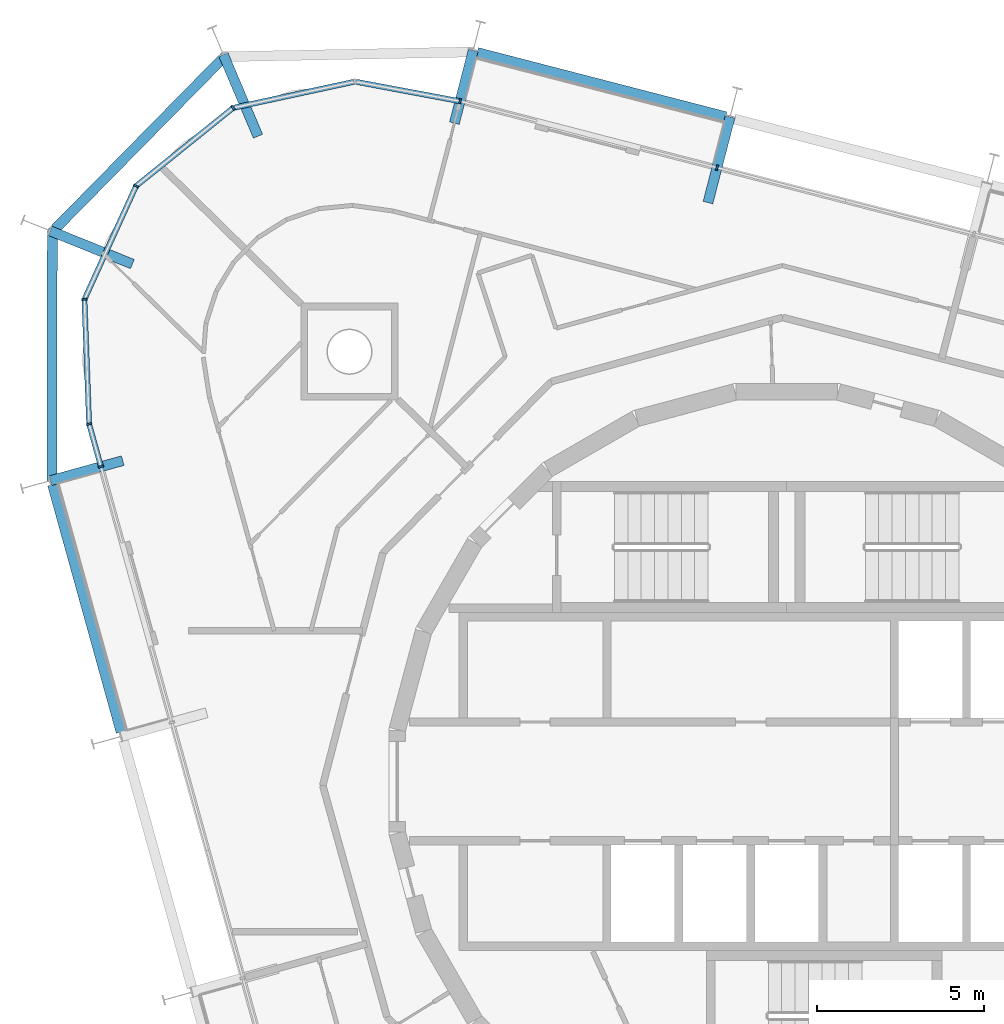
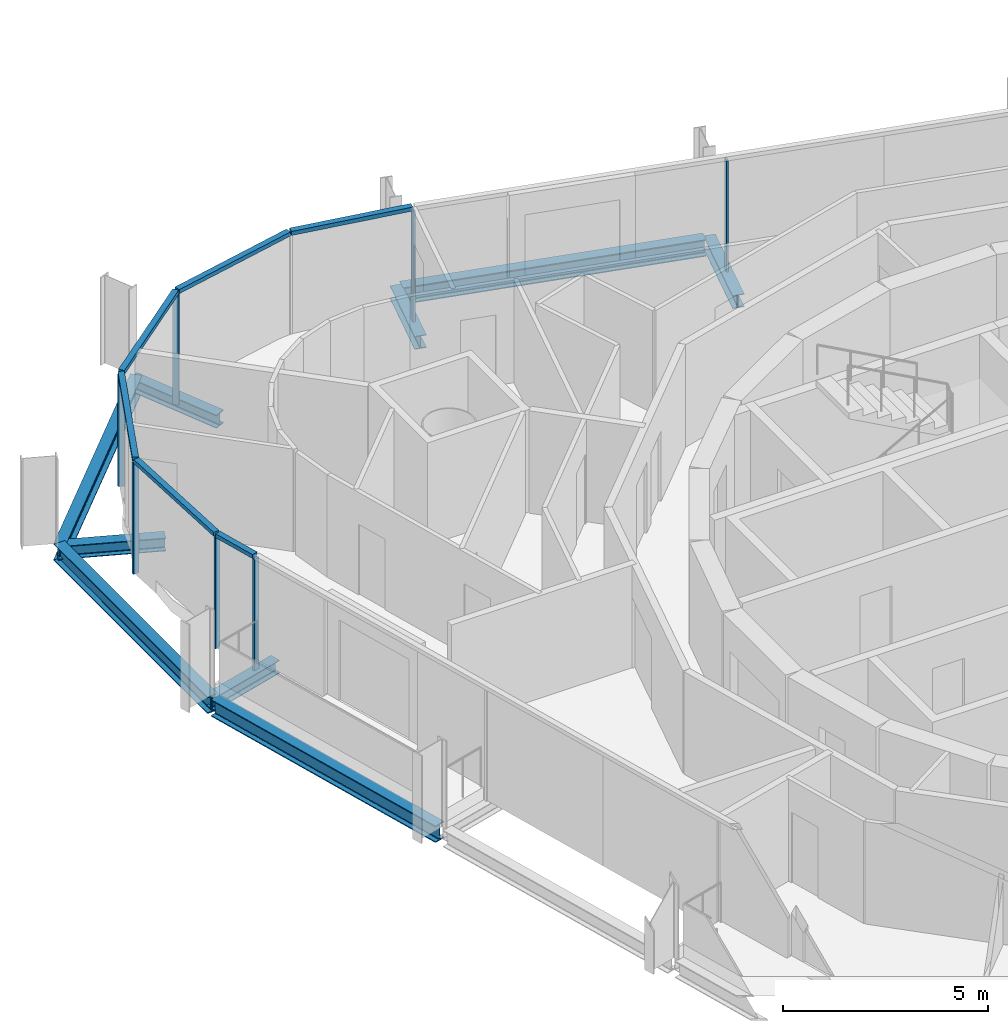
# One storey, part 5 of 15: 13 members, 9 beams, 3 elements without a shape of their own.
"""IFC4 building model written with IfcOpenShell, lengths in metres."""

from ifc_helpers import new_model, si_unit, direction, frame, origin, origin_2d, place, context, subcontext, project, spatial, rectangle, i_section, extrude, material, layer, layer_set, material_profile, profile_set, type_object, element, aggregate, save


model = new_model("IFC4")

# Units and contexts
model_context = context("Model", 3, precision=1e-05, world=origin(), true_north=direction((0.0, 1.0)))
body_context = subcontext(model_context, "Body", "Model", "MODEL_VIEW")
ifc_project = project(units=[si_unit("LENGTHUNIT", "METRE"), si_unit("AREAUNIT", "SQUARE_METRE"), si_unit("VOLUMEUNIT", "CUBIC_METRE"), si_unit("PLANEANGLEUNIT", "RADIAN"), si_unit("MASSUNIT", "GRAM", prefix="KILO")], contexts=[model_context])

# Site, building, storey
site_placement = place(None, origin())
site = spatial("IfcSite", under=ifc_project, at=site_placement, CompositionType="ELEMENT")
building_placement = place(site_placement, origin())
building = spatial("IfcBuilding", under=site, at=building_placement, Name="Spindle Arch Residences", CompositionType="ELEMENT")
storey_placement = place(building_placement, frame((0.0, 0.0, 322.699951171875)))
storey = spatial("IfcBuildingStorey", under=building, at=storey_placement, Name="L83", CompositionType="ELEMENT", Elevation=322.699951171875)

# Curtain wall, member
ifc_material_1 = material(Name="Aluminium bronze unitised frame with tinted glass", Category="aluminium")
ifc_layer_1 = layer(ifc_material_1, 0.159912109375)
ifc_layer_set_1 = layer_set([ifc_layer_1], Name="CW-C typical residential unitised wall")
curtain_wall_type_1 = type_object("IfcCurtainWallType", Name="CW-C typical residential unitised wall", PredefinedType="NOTDEFINED", material=ifc_layer_set_1)
curtain_wall_1_placement = place(storey_placement, origin())
curtain_wall_1 = element("IfcCurtainWall", 1, at=curtain_wall_1_placement, inside=storey, type_object=curtain_wall_type_1, Name="CW-C L83 run 2", PredefinedType="NOTDEFINED")
ifc_material_2 = material(Name="Aluminium bronze anodised mullion", Category="aluminium")
ifc_material_profile_1 = material_profile(ifc_material_2, rectangle(XDim=0.159912109375, YDim=0.06005859375, at=origin_2d()), Name="MU 60x160")
ifc_profile_set_1 = profile_set([ifc_material_profile_1], Name="Aluminium bronze anodised mullion")
member_type_1 = type_object("IfcMemberType", Name="Bronze mullion 60x160", PredefinedType="MULLION", material=ifc_profile_set_1)
member_1_placement = place(storey_placement, frame((-2.084228515625, 18.35107421875, -0.3798828125), z_axis=(0.0, 0.0, 1.0), x_axis=(-0.250380004054, -0.968147640378, 0.0)))
member_1 = element("IfcMember", 2, at=member_1_placement, type_object=member_type_1, Name="CW-C mullion 07", PredefinedType="MULLION", context=body_context, shape_type="SweptSolid", body=[
    extrude(rectangle(XDim=0.159912109375, YDim=0.06005859375, at=origin_2d()), origin(), (0.0, 0.0, 1.0), 3.309814453125),
])
aggregate(curtain_wall_1, [member_1])

# Curtain wall, members
ifc_material_3 = material(Name="Aluminium bronze unitised frame with tinted glass", Category="aluminium")
ifc_layer_2 = layer(ifc_material_3, 0.159912109375)
ifc_layer_set_2 = layer_set([ifc_layer_2], Name="CW-D corner wall on the fillet arcs")
curtain_wall_type_2 = type_object("IfcCurtainWallType", Name="CW-D corner wall on the fillet arcs", PredefinedType="NOTDEFINED", material=ifc_layer_set_2)
curtain_wall_2_placement = place(storey_placement, origin())
curtain_wall_2 = element("IfcCurtainWall", 3, at=curtain_wall_2_placement, inside=storey, type_object=curtain_wall_type_2, Name="CW-D L83 run 3", PredefinedType="NOTDEFINED")
member_2_placement = place(storey_placement, frame((-9.7666015625, 20.337890625, -0.3798828125), z_axis=(0.0, 0.0, 1.0), x_axis=(-0.183837217301, -0.98295670176, 0.0)))
member_2 = element("IfcMember", 4, at=member_2_placement, type_object=member_type_1, Name="CW-D mullion 00", PredefinedType="MULLION", context=body_context, shape_type="SweptSolid", body=[
    extrude(rectangle(XDim=0.159912109375, YDim=0.06005859375, at=origin_2d()), origin(), (0.0, 0.0, 1.0), 3.309814453125),
])
member_3_placement = place(storey_placement, frame((-16.5517578125, 20.14013671875, -0.3798828125), z_axis=(0.0, 0.0, 1.0), x_axis=(0.627057107401, -0.778973288411, 0.0)))
member_3 = element("IfcMember", 5, at=member_3_placement, type_object=member_type_1, Name="CW-D mullion 02", PredefinedType="MULLION", context=body_context, shape_type="SweptSolid", body=[
    extrude(rectangle(XDim=0.159912109375, YDim=0.06005859375, at=origin_2d()), origin(), (0.0, 0.0, 1.0), 3.309814453125),
])
member_4_placement = place(storey_placement, frame((-19.454833984375, 17.80322265625, -0.3798828125), z_axis=(0.0, 0.0, 1.0), x_axis=(0.9099612694, -0.414693245896, 0.0)))
member_4 = element("IfcMember", 6, at=member_4_placement, type_object=member_type_1, Name="CW-D mullion 03", PredefinedType="MULLION", context=body_context, shape_type="SweptSolid", body=[
    extrude(rectangle(XDim=0.159912109375, YDim=0.06005859375, at=origin_2d()), origin(), (0.0, 0.0, 1.0), 3.309814453125),
])
member_5_placement = place(storey_placement, frame((-21.00048828125, 14.411865234375, -0.3798828125), z_axis=(0.0, 0.0, 1.0), x_axis=(0.999285080405, 0.037806455536, 0.0)))
member_5 = element("IfcMember", 7, at=member_5_placement, type_object=member_type_1, Name="CW-D mullion 04", PredefinedType="MULLION", context=body_context, shape_type="SweptSolid", body=[
    extrude(rectangle(XDim=0.159912109375, YDim=0.06005859375, at=origin_2d()), origin(), (0.0, 0.0, 1.0), 3.309814453125),
])
member_6_placement = place(storey_placement, frame((-20.859375, 10.687744140625, -0.3798828125), z_axis=(0.0, 0.0, 1.0), x_axis=(0.963630453209, 0.267238376078, 0.0)))
member_6 = element("IfcMember", 8, at=member_6_placement, type_object=member_type_1, Name="CW-D mullion 05", PredefinedType="MULLION", context=body_context, shape_type="SweptSolid", body=[
    extrude(rectangle(XDim=0.159912109375, YDim=0.06005859375, at=origin_2d()), origin(), (0.0, 0.0, 1.0), 3.309814453125),
])

# Curtain wall, member
curtain_wall_3_placement = place(storey_placement, origin())
curtain_wall_3 = element("IfcCurtainWall", 9, at=curtain_wall_3_placement, inside=storey, type_object=curtain_wall_type_1, Name="CW-C L83 run 4", PredefinedType="NOTDEFINED")
member_7_placement = place(storey_placement, frame((-20.505126953125, 9.41015625, -0.3798828125), z_axis=(0.0, 0.0, 1.0), x_axis=(0.963630453209, 0.267238376078, 0.0)))
member_7 = element("IfcMember", 10, at=member_7_placement, type_object=member_type_1, Name="CW-C mullion 11", PredefinedType="MULLION", context=body_context, shape_type="SweptSolid", body=[
    extrude(rectangle(XDim=0.159912109375, YDim=0.06005859375, at=origin_2d()), origin(), (0.0, 0.0, 1.0), 3.309814453125),
])
aggregate(curtain_wall_3, [member_7])

# Member
ifc_material_4 = material(Name="Aluminium bronze anodised transom", Category="aluminium")
ifc_material_profile_2 = material_profile(ifc_material_4, rectangle(XDim=0.159912109375, YDim=0.1201171875, at=origin_2d()), Name="TR 120x160")
ifc_profile_set_2 = profile_set([ifc_material_profile_2], Name="Aluminium bronze anodised transom")
member_type_2 = type_object("IfcMemberType", Name="Bronze transom 120x160", PredefinedType="USERDEFINED", material=ifc_profile_set_2)
member_8_placement = place(storey_placement, frame((-9.796142578125, 20.34326171875, 2.989990234375), z_axis=(-0.982955792974, 0.183842076412, 0.0), x_axis=(-0.183842076412, -0.982955792974, 0.0)))
member_8 = element("IfcMember", 11, at=member_8_placement, type_object=member_type_2, Name="CW-D transom 00", ObjectType="TRANSOM", PredefinedType="USERDEFINED", context=body_context, shape_type="SweptSolid", body=[
    extrude(rectangle(XDim=0.159912109375, YDim=0.1201171875, at=origin_2d()), origin(), (0.0, 0.0, 1.0), 3.13671875),
])

member_9_placement = place(storey_placement, frame((-12.938232421875, 20.919189453125, 2.989990234375), z_axis=(-0.977527770532, -0.210806683571, 0.0), x_axis=(0.210806683571, -0.977527770532, 0.0)))
member_9 = element("IfcMember", 12, at=member_9_placement, type_object=member_type_2, Name="CW-D transom 01", ObjectType="TRANSOM", PredefinedType="USERDEFINED", context=body_context, shape_type="SweptSolid", body=[
    extrude(rectangle(XDim=0.159912109375, YDim=0.1201171875, at=origin_2d()), origin(), (0.0, 0.0, 1.0), 3.66650390625),
])

member_10_placement = place(storey_placement, frame((-16.5751953125, 20.121337890625, 2.989990234375), z_axis=(-0.778981543265, -0.627046852518, 0.0), x_axis=(0.627046852518, -0.778981543265, 0.0)))
member_10 = element("IfcMember", 13, at=member_10_placement, type_object=member_type_2, Name="CW-D transom 02", ObjectType="TRANSOM", PredefinedType="USERDEFINED", context=body_context, shape_type="SweptSolid", body=[
    extrude(rectangle(XDim=0.159912109375, YDim=0.1201171875, at=origin_2d()), origin(), (0.0, 0.0, 1.0), 3.6669921875),
])

member_11_placement = place(storey_placement, frame((-19.46728515625, 17.77587890625, 2.989990234375), z_axis=(-0.414725728642, -0.90994646546, 0.0), x_axis=(0.90994646546, -0.414725728642, 0.0)))
member_11 = element("IfcMember", 14, at=member_11_placement, type_object=member_type_2, Name="CW-D transom 03", ObjectType="TRANSOM", PredefinedType="USERDEFINED", context=body_context, shape_type="SweptSolid", body=[
    extrude(rectangle(XDim=0.159912109375, YDim=0.1201171875, at=origin_2d()), origin(), (0.0, 0.0, 1.0), 3.6669921875),
])

member_12_placement = place(storey_placement, frame((-20.999267578125, 14.382080078125, 2.989990234375), z_axis=(0.03781688996, -0.99928468558, 0.0), x_axis=(0.99928468558, 0.03781688996, 0.0)))
member_12 = element("IfcMember", 15, at=member_12_placement, type_object=member_type_2, Name="CW-D transom 04", ObjectType="TRANSOM", PredefinedType="USERDEFINED", context=body_context, shape_type="SweptSolid", body=[
    extrude(rectangle(XDim=0.159912109375, YDim=0.1201171875, at=origin_2d()), origin(), (0.0, 0.0, 1.0), 3.6669921875),
])

member_13_placement = place(storey_placement, frame((-20.8515625, 10.658935546875, 2.989990234375), z_axis=(0.267275846412, -0.963620060981, 0.0), x_axis=(0.963620060981, 0.267275846412, 0.0)))
member_13 = element("IfcMember", 16, at=member_13_placement, type_object=member_type_2, Name="CW-D transom 05", ObjectType="TRANSOM", PredefinedType="USERDEFINED", context=body_context, shape_type="SweptSolid", body=[
    extrude(rectangle(XDim=0.159912109375, YDim=0.1201171875, at=origin_2d()), origin(), (0.0, 0.0, 1.0), 1.26611328125),
])

aggregate(curtain_wall_2, [member_2, member_8, member_9, member_3, member_10, member_4, member_11, member_5, member_12, member_6, member_13])

# Beams
ifc_material_5 = material(Name="Steel S460ML, intumescent coating R 120", Category="steel")
ifc_material_profile_3 = material_profile(ifc_material_5, i_section(OverallWidth=0.300048828125, OverallDepth=0.5, WebThickness=0.014404296875, FlangeThickness=0.028076171875, FilletRadius=0.027099609375, at=origin_2d()), Name="HEB 500")
ifc_profile_set_3 = profile_set([ifc_material_profile_3], Name="Steel S460ML, intumescent coating R 120")
beam_type_1 = type_object("IfcBeamType", Name="Exoskeleton edge beam HEB 500", PredefinedType="BEAM", material=ifc_profile_set_3)
beam_1_placement = place(storey_placement, frame((-1.824462890625, 19.87451171875, -0.6298828125), z_axis=(-0.968149836341, 0.250371512743, 0.0), x_axis=(-0.250371512743, -0.968149836341, 0.0)))
element("IfcBeam", 17, at=beam_1_placement, inside=storey, type_object=beam_type_1, Name="Exoskeleton edge beam 8", PredefinedType="BEAM", context=body_context, shape_type="SweptSolid", body=[
    extrude(i_section(OverallWidth=0.300048828125, OverallDepth=0.5, WebThickness=0.014404296875, FlangeThickness=0.028076171875, FilletRadius=0.027099609375, at=origin_2d()), origin(), (0.0, 0.0, 1.0), 7.675048828125),
])
beam_2_placement = place(storey_placement, frame((-16.767333984375, 21.715576171875, -0.6298828125), z_axis=(-0.700904877176, -0.713254760342, 0.0), x_axis=(0.713254760342, -0.700904877176, 0.0)))
element("IfcBeam", 18, at=beam_2_placement, inside=storey, type_object=beam_type_1, Name="Exoskeleton edge beam 10", PredefinedType="BEAM", context=body_context, shape_type="SweptSolid", body=[
    extrude(i_section(OverallWidth=0.300048828125, OverallDepth=0.5, WebThickness=0.014404296875, FlangeThickness=0.028076171875, FilletRadius=0.027099609375, at=origin_2d()), origin(), (0.0, 0.0, 1.0), 7.47265625),
])
beam_3_placement = place(storey_placement, frame((-21.95947265625, 16.472412109375, -0.6298828125), z_axis=(-0.001692871227, -0.999998567092, 0.0), x_axis=(0.999998567092, -0.001692871227, 0.0)))
element("IfcBeam", 19, at=beam_3_placement, inside=storey, type_object=beam_type_1, Name="Exoskeleton edge beam 11", PredefinedType="BEAM", context=body_context, shape_type="SweptSolid", body=[
    extrude(i_section(OverallWidth=0.300048828125, OverallDepth=0.5, WebThickness=0.014404296875, FlangeThickness=0.028076171875, FilletRadius=0.027099609375, at=origin_2d()), origin(), (0.0, 0.0, 1.0), 7.499267578125),
])
beam_4_placement = place(storey_placement, frame((-21.954345703125, 8.873291015625, -0.6298828125), z_axis=(0.26723040865, -0.963632662737, 0.0), x_axis=(0.963632662737, 0.26723040865, 0.0)))
element("IfcBeam", 20, at=beam_4_placement, inside=storey, type_object=beam_type_1, Name="Exoskeleton edge beam 12", PredefinedType="BEAM", context=body_context, shape_type="SweptSolid", body=[
    extrude(i_section(OverallWidth=0.300048828125, OverallDepth=0.5, WebThickness=0.014404296875, FlangeThickness=0.028076171875, FilletRadius=0.027099609375, at=origin_2d()), origin(), (0.0, 0.0, 1.0), 7.675048828125),
])
ifc_material_6 = material(Name="Steel S460ML, intumescent coating R 120", Category="steel")
ifc_material_profile_4 = material_profile(ifc_material_6, i_section(OverallWidth=0.300048828125, OverallDepth=0.389892578125, WebThickness=0.010986328125, FlangeThickness=0.01904296875, FilletRadius=0.027099609375, at=origin_2d()), Name="HEA 400")
ifc_profile_set_4 = profile_set([ifc_material_profile_4], Name="Steel S460ML, intumescent coating R 120")
beam_type_2 = type_object("IfcBeamType", Name="Floor outrigger HEA 400", PredefinedType="BEAM", material=ifc_profile_set_4)
beam_5_placement = place(storey_placement, frame((-1.691162109375, 19.87109375, -0.574951171875), z_axis=(-0.250396221036, -0.968143446237, 0.0), x_axis=(0.968143446237, -0.250396221036, 0.0)))
element("IfcBeam", 21, at=beam_5_placement, inside=storey, type_object=beam_type_2, Name="Floor outrigger 8", PredefinedType="BEAM", context=body_context, shape_type="SweptSolid", body=[
    extrude(i_section(OverallWidth=0.300048828125, OverallDepth=0.389892578125, WebThickness=0.010986328125, FlangeThickness=0.01904296875, FilletRadius=0.027099609375, at=origin_2d()), origin(), (0.0, 0.0, 1.0), 2.650146484375),
])
beam_6_placement = place(storey_placement, frame((-9.37353515625, 21.857666015625, -0.574951171875), z_axis=(-0.250347717753, -0.968155989609, 0.0), x_axis=(0.968155989609, -0.250347717753, 0.0)))
element("IfcBeam", 22, at=beam_6_placement, inside=storey, type_object=beam_type_2, Name="Floor outrigger 9", PredefinedType="BEAM", context=body_context, shape_type="SweptSolid", body=[
    extrude(i_section(OverallWidth=0.300048828125, OverallDepth=0.389892578125, WebThickness=0.010986328125, FlangeThickness=0.01904296875, FilletRadius=0.027099609375, at=origin_2d()), origin(), (0.0, 0.0, 1.0), 2.247802734375),
])
for number, where, z_axis, x_axis, name in (
    (23, (-16.8427734375, 21.73046875, -0.574951171875), (0.390625555943, -0.920549659195, 0.0), (0.920549659195, 0.390625555943, 0.0), "Floor outrigger 10"),
    (24, (-22.02099609375, 16.4609375, -0.574951171875), (0.927219688575, -0.374517888917, 0.0), (0.374517888917, 0.927219688575, 0.0), "Floor outrigger 11"),
):
    element("IfcBeam", number, at=place(storey_placement, frame(where, z_axis=z_axis, x_axis=x_axis)), inside=storey, type_object=beam_type_2, Name=name, PredefinedType="BEAM", context=body_context, shape_type="SweptSolid", body=[
        extrude(i_section(OverallWidth=0.300048828125, OverallDepth=0.389892578125, WebThickness=0.010986328125, FlangeThickness=0.01904296875, FilletRadius=0.027099609375, at=origin_2d()), origin(), (0.0, 0.0, 1.0), 2.64990234375),
    ])
beam_7_placement = place(storey_placement, frame((-22.01806640625, 8.990478515625, -0.574951171875), z_axis=(0.963622081643, 0.267268561132, 0.0), x_axis=(-0.267268561132, 0.963622081643, 0.0)))
element("IfcBeam", 25, at=beam_7_placement, inside=storey, type_object=beam_type_2, Name="Floor outrigger 12", PredefinedType="BEAM", context=body_context, shape_type="SweptSolid", body=[
    extrude(i_section(OverallWidth=0.300048828125, OverallDepth=0.389892578125, WebThickness=0.010986328125, FlangeThickness=0.01904296875, FilletRadius=0.027099609375, at=origin_2d()), origin(), (0.0, 0.0, 1.0), 2.248046875),
])

save(model, "model.ifc")
